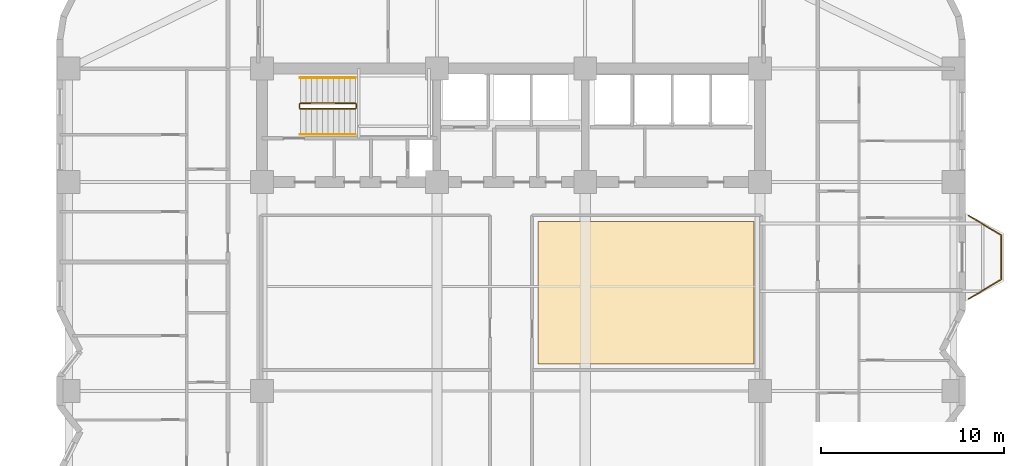
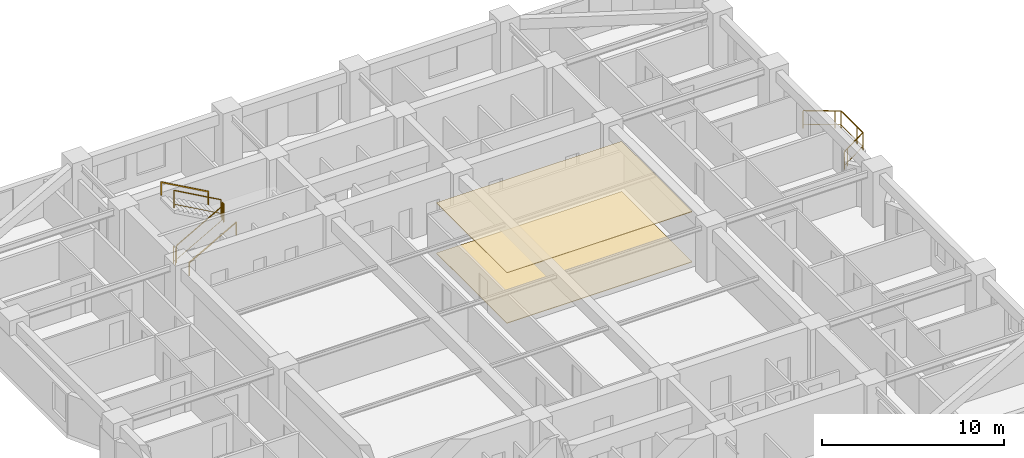
# One storey, part 10 of 10: 7 railings, 2 coverings.
"""IFC4 building model written with IfcOpenShell, lengths in metres."""

from ifc_helpers import new_model, si_unit, direction, frame, origin, origin_2d, place, context, subcontext, project, spatial, polyline, rectangle, outline, extrude, material, layer, layer_set, type_object, element, save


model = new_model("IFC4")

# Units and contexts
model_context = context("Model", 3, precision=1e-05, world=origin(), true_north=direction((0.0, 1.0)))
body_context = subcontext(model_context, "Body", "Model", "MODEL_VIEW")
ifc_project = project(units=[si_unit("LENGTHUNIT", "METRE"), si_unit("AREAUNIT", "SQUARE_METRE"), si_unit("VOLUMEUNIT", "CUBIC_METRE"), si_unit("PLANEANGLEUNIT", "RADIAN"), si_unit("MASSUNIT", "GRAM", prefix="KILO")], contexts=[model_context])

# Site, building, storey
site_placement = place(None, origin())
site = spatial("IfcSite", under=ifc_project, at=site_placement, CompositionType="ELEMENT")
building_placement = place(site_placement, origin())
building = spatial("IfcBuilding", under=site, at=building_placement, Name="Svetorya Sky Lyceum", CompositionType="ELEMENT")
storey_placement = place(building_placement, frame((0.0, 0.0, 69.5)))
storey = spatial("IfcBuildingStorey", under=building, at=storey_placement, Name="L17", CompositionType="ELEMENT", Elevation=69.5)

# Coverings
ifc_material_1 = material(Name="Anodized aluminium linear acoustic ceiling baffle", Category="aluminium")
ifc_layer_1 = layer(ifc_material_1, 0.0400390625)
ifc_layer_set_1 = layer_set([ifc_layer_1], Name="Anodized aluminium linear acoustic ceiling baffle")
covering_type_1 = type_object("IfcCoveringType", Name="COV-CLG-BAF40", PredefinedType="CEILING", material=ifc_layer_set_1)
covering_1_placement = place(storey_placement, frame((0.0, 0.0, 3.3798828125)))
element("IfcCovering", 1, at=covering_1_placement, inside=storey, type_object=covering_type_1, Name="Residents Tea Lounge L17 Acoustic Ceiling", PredefinedType="CEILING", context=body_context, shape_type="SweptSolid", body=[
    extrude(outline(polyline([(40.669921875, 29.678466796875), (52.449951171875, 29.678466796875), (52.449951171875, 37.449951171875), (40.669921875, 37.449951171875), (40.669921875, 29.678466796875)])), origin(), (0.0, 0.0, 1.0), 0.0400390625),
])
ifc_material_2 = material(Name="Flamed granite slip-resistant lobby flooring", Category="masonry")
ifc_layer_2 = layer(ifc_material_2, 0.034912109375)
ifc_layer_set_2 = layer_set([ifc_layer_2], Name="Flamed granite slip-resistant lobby flooring")
covering_type_2 = type_object("IfcCoveringType", Name="COV-FLR-GRN", PredefinedType="FLOORING", material=ifc_layer_set_2)
covering_2_placement = place(storey_placement, origin())
element("IfcCovering", 2, at=covering_2_placement, inside=storey, type_object=covering_type_2, Name="Residents Tea Lounge L17 Architectural Flooring", PredefinedType="FLOORING", context=body_context, shape_type="SweptSolid", body=[
    extrude(outline(polyline([(40.669921875, 29.678466796875), (52.449951171875, 29.678466796875), (52.449951171875, 37.449951171875), (40.669921875, 37.449951171875), (40.669921875, 29.678466796875)])), origin(), (0.0, 0.0, 1.0), 0.034912109375),
])

# Railings
ifc_material_3 = material(Name="Laminated safety glass and stainless AISI 316", Category="glass")
railing_type_1 = type_object("IfcRailingType", Name="RL-BAL-1200", PredefinedType="BALUSTRADE", material=ifc_material_3)
railing_1_placement = place(storey_placement, frame((64.169921875, 37.780029296875, 0.0)))
element("IfcRailing", 3, at=railing_1_placement, inside=storey, type_object=railing_type_1, Name="L17 Balcony Balustrade BAL-E1", PredefinedType="BALUSTRADE", context=body_context, shape_type="SweptSolid", body=[
    extrude(rectangle(XDim=0.048095703125, YDim=0.048095703125, at=origin_2d()), frame((0.0, 0.0, 1.17578125), z_axis=(0.857482663744, -0.514512858321, 0.0), x_axis=(0.514512858321, 0.857482663744, 0.0)), (0.0, 0.0, 1.0), 2.09912109375),
    extrude(rectangle(XDim=0.02392578125, YDim=0.02392578125, at=origin_2d()), frame((0.0, 0.0, 0.25), z_axis=(0.857482663744, -0.514512858321, 0.0), x_axis=(0.514512858321, 0.857482663744, 0.0)), (0.0, 0.0, 1.0), 2.09912109375),
    extrude(rectangle(XDim=0.048095703125, YDim=0.048095703125, at=origin_2d()), frame((1.800048828125, -1.080078125, 1.17578125), z_axis=(0.0, -1.0, 0.0), x_axis=(1.0, 0.0, 0.0)), (0.0, 0.0, 1.0), 2.39990234375),
    extrude(rectangle(XDim=0.02392578125, YDim=0.02392578125, at=origin_2d()), frame((1.800048828125, -1.080078125, 0.25), z_axis=(0.0, -1.0, 0.0), x_axis=(1.0, 0.0, 0.0)), (0.0, 0.0, 1.0), 2.39990234375),
    extrude(rectangle(XDim=0.048095703125, YDim=0.048095703125, at=origin_2d()), frame((1.800048828125, -3.47998046875, 1.17578125), z_axis=(-0.857482663744, -0.514512858321, 0.0), x_axis=(0.514512858321, -0.857482663744, 0.0)), (0.0, 0.0, 1.0), 2.09912109375),
    extrude(rectangle(XDim=0.02392578125, YDim=0.02392578125, at=origin_2d()), frame((1.800048828125, -3.47998046875, 0.25), z_axis=(-0.857482663744, -0.514512858321, 0.0), x_axis=(0.514512858321, -0.857482663744, 0.0)), (0.0, 0.0, 1.0), 2.09912109375),
    extrude(rectangle(XDim=0.0419921875, YDim=0.0419921875, at=origin_2d()), origin(), (0.0, 0.0, 1.0), 1.15185546875),
    extrude(rectangle(XDim=0.0419921875, YDim=0.0419921875, at=origin_2d()), frame((1.50048828125, -0.900390625, 0.0)), (0.0, 0.0, 1.0), 1.15185546875),
    extrude(rectangle(XDim=0.0419921875, YDim=0.0419921875, at=origin_2d()), frame((1.800048828125, -1.080078125, 0.0)), (0.0, 0.0, 1.0), 1.15185546875),
    extrude(rectangle(XDim=0.0419921875, YDim=0.0419921875, at=origin_2d()), frame((1.800048828125, -2.830078125, 0.0)), (0.0, 0.0, 1.0), 1.15185546875),
    extrude(rectangle(XDim=0.0419921875, YDim=0.0419921875, at=origin_2d()), frame((1.800048828125, -3.47998046875, 0.0)), (0.0, 0.0, 1.0), 1.15185546875),
    extrude(rectangle(XDim=0.0419921875, YDim=0.0419921875, at=origin_2d()), frame((0.299560546875, -4.38037109375, 0.0)), (0.0, 0.0, 1.0), 1.15185546875),
    extrude(rectangle(XDim=0.0419921875, YDim=0.0419921875, at=origin_2d()), frame((0.0, -4.56005859375, 0.0)), (0.0, 0.0, 1.0), 1.15185546875),
])
ifc_material_4 = material(Name="Painted galvanized stair well guard")
railing_type_2 = type_object("IfcRailingType", Name="RL-STR-GUARD-1200", PredefinedType="GUARDRAIL", material=ifc_material_4)
railing_2_placement = place(storey_placement, frame((27.699951171875, 43.60009765625, 0.168212890625)))
element("IfcRailing", 4, at=railing_2_placement, inside=storey, type_object=railing_type_2, Name="L17 ST-N stair guard 1", PredefinedType="GUARDRAIL", context=body_context, shape_type="SweptSolid", body=[
    extrude(rectangle(XDim=0.048095703125, YDim=0.048095703125, at=origin_2d()), frame((0.0, 0.0, 1.17578125), z_axis=(0.872272294576, 0.0, 0.489020494575), x_axis=(0.0, 1.0, 0.0)), (0.0, 0.0, 1.0), 3.439208984375),
    extrude(rectangle(XDim=0.02392578125, YDim=0.02392578125, at=origin_2d()), frame((0.0, 0.0, 0.25), z_axis=(0.872272294576, 0.0, 0.489020494575), x_axis=(0.0, 1.0, 0.0)), (0.0, 0.0, 1.0), 3.439208984375),
    extrude(rectangle(XDim=0.0419921875, YDim=0.0419921875, at=origin_2d()), origin(), (0.0, 0.0, 1.0), 1.15185546875),
    extrude(rectangle(XDim=0.0419921875, YDim=0.0419921875, at=origin_2d()), frame((3.0, 0.0, 1.681884765625)), (0.0, 0.0, 1.0), 1.15185546875),
])
railing_3_placement = place(storey_placement, frame((30.75, 43.64990234375, 1.85009765625)))
element("IfcRailing", 5, at=railing_3_placement, inside=storey, type_object=railing_type_2, Name="L17 ST-N stair guard 2", PredefinedType="GUARDRAIL", context=body_context, shape_type="SweptSolid", body=[
    extrude(rectangle(XDim=0.048095703125, YDim=0.048095703125, at=origin_2d()), frame((0.0, 0.0, 1.17578125), z_axis=(0.0, 1.0, 0.0), x_axis=(-1.0, 0.0, 0.0)), (0.0, 0.0, 1.0), 0.2001953125),
    extrude(rectangle(XDim=0.02392578125, YDim=0.02392578125, at=origin_2d()), frame((0.0, 0.0, 0.25), z_axis=(0.0, 1.0, 0.0), x_axis=(-1.0, 0.0, 0.0)), (0.0, 0.0, 1.0), 0.2001953125),
    extrude(rectangle(XDim=0.0419921875, YDim=0.0419921875, at=origin_2d()), origin(), (0.0, 0.0, 1.0), 1.15185546875),
    extrude(rectangle(XDim=0.0419921875, YDim=0.0419921875, at=origin_2d()), frame((0.0, 0.2001953125, 0.0)), (0.0, 0.0, 1.0), 1.15185546875),
])
railing_4_placement = place(storey_placement, frame((30.699951171875, 43.89990234375, 2.01806640625)))
element("IfcRailing", 6, at=railing_4_placement, inside=storey, type_object=railing_type_2, Name="L17 ST-N stair guard 3", PredefinedType="GUARDRAIL", context=body_context, shape_type="SweptSolid", body=[
    extrude(rectangle(XDim=0.048095703125, YDim=0.048095703125, at=origin_2d()), frame((0.0, 0.0, 1.17578125), z_axis=(-0.872272294576, 0.0, 0.489020494575), x_axis=(0.0, -1.0, 0.0)), (0.0, 0.0, 1.0), 3.439208984375),
    extrude(rectangle(XDim=0.02392578125, YDim=0.02392578125, at=origin_2d()), frame((0.0, 0.0, 0.25), z_axis=(-0.872272294576, 0.0, 0.489020494575), x_axis=(0.0, -1.0, 0.0)), (0.0, 0.0, 1.0), 3.439208984375),
    extrude(rectangle(XDim=0.0419921875, YDim=0.0419921875, at=origin_2d()), origin(), (0.0, 0.0, 1.0), 1.15185546875),
    extrude(rectangle(XDim=0.0419921875, YDim=0.0419921875, at=origin_2d()), frame((-3.0, 0.0, 1.681884765625)), (0.0, 0.0, 1.0), 1.15185546875),
])
railing_5_placement = place(storey_placement, frame((27.64990234375, 43.64990234375, 0.0)))
element("IfcRailing", 7, at=railing_5_placement, inside=storey, type_object=railing_type_2, Name="L17 ST-N stair guard 4", PredefinedType="GUARDRAIL", context=body_context, shape_type="SweptSolid", body=[
    extrude(rectangle(XDim=0.048095703125, YDim=0.048095703125, at=origin_2d()), frame((0.0, 0.0, 1.17578125), z_axis=(0.0, 1.0, 0.0), x_axis=(-1.0, 0.0, 0.0)), (0.0, 0.0, 1.0), 0.2001953125),
    extrude(rectangle(XDim=0.02392578125, YDim=0.02392578125, at=origin_2d()), frame((0.0, 0.0, 0.25), z_axis=(0.0, 1.0, 0.0), x_axis=(-1.0, 0.0, 0.0)), (0.0, 0.0, 1.0), 0.2001953125),
    extrude(rectangle(XDim=0.0419921875, YDim=0.0419921875, at=origin_2d()), origin(), (0.0, 0.0, 1.0), 1.15185546875),
    extrude(rectangle(XDim=0.0419921875, YDim=0.0419921875, at=origin_2d()), frame((0.0, 0.2001953125, 0.0)), (0.0, 0.0, 1.0), 1.15185546875),
])
ifc_material_5 = material(Name="Brushed stainless AISI 304 stair handrail")
railing_type_3 = type_object("IfcRailingType", Name="RL-STR-HAND-920", PredefinedType="HANDRAIL", material=ifc_material_5)
railing_6_placement = place(storey_placement, frame((27.699951171875, 42.199951171875, 0.168212890625)))
element("IfcRailing", 8, at=railing_6_placement, inside=storey, type_object=railing_type_3, Name="L17 ST-N stair handrail 1", PredefinedType="HANDRAIL", context=body_context, shape_type="SweptSolid", body=[
    extrude(rectangle(XDim=0.048095703125, YDim=0.048095703125, at=origin_2d()), frame((0.0, 0.0, 0.8759765625), z_axis=(0.872272294576, 0.0, 0.489020494575), x_axis=(0.0, 1.0, 0.0)), (0.0, 0.0, 1.0), 3.439208984375),
    extrude(rectangle(XDim=0.0419921875, YDim=0.0419921875, at=origin_2d()), origin(), (0.0, 0.0, 1.0), 0.851806640625),
    extrude(rectangle(XDim=0.0419921875, YDim=0.0419921875, at=origin_2d()), frame((3.0, 0.0, 1.681884765625)), (0.0, 0.0, 1.0), 0.851806640625),
])
railing_7_placement = place(storey_placement, frame((30.699951171875, 45.300048828125, 2.01806640625)))
element("IfcRailing", 9, at=railing_7_placement, inside=storey, type_object=railing_type_3, Name="L17 ST-N stair handrail 2", PredefinedType="HANDRAIL", context=body_context, shape_type="SweptSolid", body=[
    extrude(rectangle(XDim=0.048095703125, YDim=0.048095703125, at=origin_2d()), frame((0.0, 0.0, 0.8759765625), z_axis=(-0.872272294576, 0.0, 0.489020494575), x_axis=(0.0, -1.0, 0.0)), (0.0, 0.0, 1.0), 3.439208984375),
    extrude(rectangle(XDim=0.0419921875, YDim=0.0419921875, at=origin_2d()), origin(), (0.0, 0.0, 1.0), 0.851806640625),
    extrude(rectangle(XDim=0.0419921875, YDim=0.0419921875, at=origin_2d()), frame((-3.0, 0.0, 1.681884765625)), (0.0, 0.0, 1.0), 0.851806640625),
])

save(model, "model.ifc")
